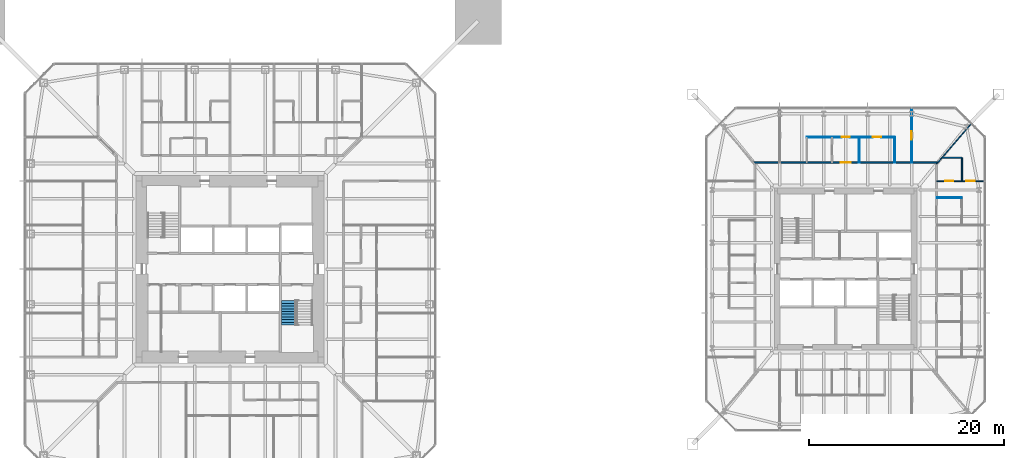
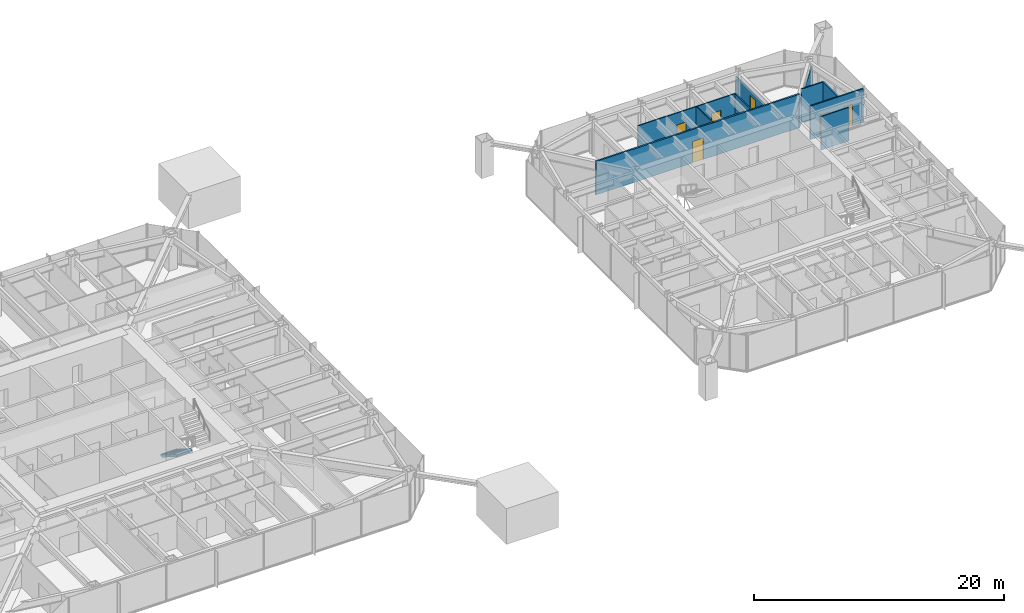
# One storey, part 19 of 25: 10 walls, 6 doors, 1 stair flight, 6 openings, 1 element without a shape of its own.
"""IFC4 building model written with IfcOpenShell, lengths in metres."""

from ifc_helpers import new_model, si_unit, direction, frame, frame_2d, origin, place, context, subcontext, project, spatial, polyline, rectangle, outline, extrude, material, layer, layer_set, constituent, constituent_set, type_object, element, fill, aggregate, save


model = new_model("IFC4")

# Units and contexts
model_context = context("Model", 3, precision=1e-05, world=origin(), true_north=direction((0.0, 1.0)))
body_context = subcontext(model_context, "Body", "Model", "MODEL_VIEW")
ifc_project = project(units=[si_unit("LENGTHUNIT", "METRE"), si_unit("AREAUNIT", "SQUARE_METRE"), si_unit("VOLUMEUNIT", "CUBIC_METRE"), si_unit("PLANEANGLEUNIT", "RADIAN"), si_unit("MASSUNIT", "GRAM", prefix="KILO")], contexts=[model_context])

# Site, building, storey
site_placement = place(None, origin())
site = spatial("IfcSite", under=ifc_project, at=site_placement, CompositionType="ELEMENT")
building_placement = place(site_placement, origin())
building = spatial("IfcBuilding", under=site, at=building_placement, Name="Iwan Alto Co-Living Towers", CompositionType="ELEMENT")
storey_placement = place(building_placement, frame((0.0, 0.0, 105.0)))
storey = spatial("IfcBuildingStorey", under=building, at=storey_placement, Name="L28", CompositionType="ELEMENT", Elevation=105.0)

# Wall, opening, door
ifc_material_1 = material(Name="Gypsum board")
ifc_layer_1 = layer(ifc_material_1, 0.02490234375, Name="Board", Category="Finish")
ifc_material_2 = material(Name="Steel ASTM A1003 ST33H cold-formed studs", Category="steel")
ifc_layer_2 = layer(ifc_material_2, 0.10009765625, Name="Studs", Category="Framing")
ifc_layer_3 = layer(ifc_material_1, 0.02490234375, Name="Board", Category="Finish")
ifc_layer_set_1 = layer_set([ifc_layer_1, ifc_layer_2, ifc_layer_3], Name="CORRIDOR WALL 150")
wall_type_1 = type_object("IfcWallType", Name="CORRIDOR WALL 150", PredefinedType="PARTITIONING", material=ifc_layer_set_1)
wall_1_placement = place(storey_placement, frame((53.5859375, 10.89990234375, 0.0), z_axis=(0.0, 0.0, 1.0), x_axis=(1.0, 0.0, 0.0)))
wall_1 = element("IfcWall", 1, at=wall_1_placement, inside=storey, type_object=wall_type_1, Name="Partition L28", PredefinedType="PARTITIONING", context=body_context, shape_type="SweptSolid", body=[
    extrude(rectangle(XDim=18.828125, YDim=0.14990234375, at=frame_2d((9.4140625, 0.0))), origin(), (0.0, 0.0, 1.0), 3.27001953125),
])
opening_1_placement = place(wall_1_placement, frame((8.9140625, 0.0, 0.0)))
opening_1 = element("IfcOpeningElement", 2, at=opening_1_placement, cuts=wall_1, Name="Opening D3", PredefinedType="OPENING", context=body_context, shape_type="SweptSolid", body=[
    extrude(rectangle(XDim=1.0, YDim=2.10009765625, at=frame_2d((0.5, 1.050048828125))), frame((0.0, 0.0849609375, 0.0), z_axis=(0.0, -1.0, 0.0), x_axis=(1.0, 0.0, 0.0)), (0.0, 0.0, 1.0), 0.169921875),
])
ifc_material_3 = material(Name="Steel frame with timber leaf", Category="steel")
door_type_1 = type_object("IfcDoorType", Name="FLAT ENTRANCE DOOR FD30S 1000X2100", OperationType="SINGLE_SWING_LEFT", PredefinedType="DOOR", material=ifc_material_3)
door_1_placement = place(opening_1_placement, origin())
door_1 = element("IfcDoor", 3, at=door_1_placement, inside=storey, type_object=door_type_1, Name="Apartment foyer door L28", OperationType="SINGLE_SWING_LEFT", OverallHeight=2.10009765625, OverallWidth=1.0, PredefinedType="DOOR", context=body_context, shape_type="SweptSolid", body=[
    extrude(rectangle(XDim=1.0, YDim=2.10009765625, at=frame_2d((0.5, 1.050048828125))), frame((0.0, 0.02490234375, 0.0), z_axis=(0.0, -1.0, 0.0), x_axis=(1.0, 0.0, 0.0)), (0.0, 0.0, 1.0), 0.050048828125),
])
fill(opening_1, door_1)

# Wall
ifc_layer_4 = layer(ifc_material_1, 0.012451171875, Name="Board", Category="Finish")
ifc_layer_5 = layer(ifc_material_2, 0.074951171875, Name="Studs", Category="Framing")
ifc_layer_6 = layer(ifc_material_1, 0.012451171875, Name="Board", Category="Finish")
ifc_layer_set_2 = layer_set([ifc_layer_4, ifc_layer_5, ifc_layer_6], Name="PARTITION 100")
wall_type_2 = type_object("IfcWallType", Name="PARTITION 100", PredefinedType="PARTITIONING", material=ifc_layer_set_2)
wall_2_placement = place(storey_placement, frame((72.300048828125, 7.300048828125, 0.0), z_axis=(0.0, 0.0, 1.0), x_axis=(1.0, 0.0, 0.0)))
element("IfcWall", 4, at=wall_2_placement, inside=storey, type_object=wall_type_2, Name="Partition L28", PredefinedType="PARTITIONING", context=body_context, shape_type="SweptSolid", body=[
    extrude(rectangle(XDim=2.599853515625, YDim=0.10009765625, at=frame_2d((1.2998046875, 0.0))), origin(), (0.0, 0.0, 1.0), 3.27001953125),
])

# Wall, openings, doors
wall_3_placement = place(storey_placement, frame((59.0, 13.5, 0.0), z_axis=(0.0, 0.0, 1.0), x_axis=(1.0, 0.0, 0.0)))
wall_3 = element("IfcWall", 5, at=wall_3_placement, inside=storey, type_object=wall_type_2, Name="Partition L28", PredefinedType="PARTITIONING", context=body_context, shape_type="SweptSolid", body=[
    extrude(rectangle(XDim=9.0, YDim=0.10009765625, at=frame_2d((4.5, 0.0))), origin(), (0.0, 0.0, 1.0), 3.27001953125),
])
opening_2_placement = place(wall_3_placement, frame((6.77490234375, 0.0, 0.0)))
opening_2 = element("IfcOpeningElement", 6, at=opening_2_placement, cuts=wall_3, Name="Opening D2", PredefinedType="OPENING", context=body_context, shape_type="SweptSolid", body=[
    extrude(rectangle(XDim=0.85009765625, YDim=2.10009765625, at=frame_2d((0.425048828125, 1.050048828125))), frame((0.0, 0.06005859375, 0.0), z_axis=(0.0, -1.0, 0.0), x_axis=(1.0, 0.0, 0.0)), (0.0, 0.0, 1.0), 0.1201171875),
])
opening_3_placement = place(wall_3_placement, frame((3.574951171875, 0.0, 0.0)))
opening_3 = element("IfcOpeningElement", 7, at=opening_3_placement, cuts=wall_3, Name="Opening D2", PredefinedType="OPENING", context=body_context, shape_type="SweptSolid", body=[
    extrude(rectangle(XDim=0.85009765625, YDim=2.10009765625, at=frame_2d((0.425048828125, 1.050048828125))), frame((0.0, 0.06005859375, 0.0), z_axis=(0.0, -1.0, 0.0), x_axis=(1.0, 0.0, 0.0)), (0.0, 0.0, 1.0), 0.1201171875),
])
ifc_material_4 = material(Name="Timber leaf in steel frame", Category="steel")
door_type_2 = type_object("IfcDoorType", Name="ROOM DOOR 850X2100", OperationType="SINGLE_SWING_LEFT", PredefinedType="DOOR", material=ifc_material_4)
door_2_placement = place(opening_2_placement, origin())
door_2 = element("IfcDoor", 8, at=door_2_placement, inside=storey, type_object=door_type_2, Name="Kitchen door L28", OperationType="SINGLE_SWING_RIGHT", OverallHeight=2.10009765625, OverallWidth=0.85009765625, PredefinedType="DOOR", context=body_context, shape_type="SweptSolid", body=[
    extrude(rectangle(XDim=0.85009765625, YDim=2.10009765625, at=frame_2d((0.425048828125, 1.050048828125))), frame((0.0, 0.02490234375, 0.0), z_axis=(0.0, -1.0, 0.0), x_axis=(1.0, 0.0, 0.0)), (0.0, 0.0, 1.0), 0.050048828125),
])
fill(opening_2, door_2)
door_3_placement = place(opening_3_placement, origin())
door_3 = element("IfcDoor", 9, at=door_3_placement, inside=storey, type_object=door_type_2, Name="Apartment foyer door L28", OperationType="SINGLE_SWING_LEFT", OverallHeight=2.10009765625, OverallWidth=0.85009765625, PredefinedType="DOOR", context=body_context, shape_type="SweptSolid", body=[
    extrude(rectangle(XDim=0.85009765625, YDim=2.10009765625, at=frame_2d((0.425048828125, 1.050048828125))), frame((0.0, 0.02490234375, 0.0), z_axis=(0.0, -1.0, 0.0), x_axis=(1.0, 0.0, 0.0)), (0.0, 0.0, 1.0), 0.050048828125),
])
fill(opening_3, door_3)

# Wall
wall_4_placement = place(storey_placement, frame((72.300048828125, 10.76806640625, 0.0), z_axis=(0.0, 0.0, 1.0), x_axis=(0.653709560919, 0.756745538449, 0.0)))
element("IfcWall", 10, at=wall_4_placement, inside=storey, type_object=wall_type_2, Name="Partition L28", PredefinedType="PARTITIONING", context=body_context, shape_type="SweptSolid", body=[
    extrude(rectangle(XDim=5.3857421875, YDim=0.10009765625, at=frame_2d((2.69287109375, 0.0))), origin(), (0.0, 0.0, 1.0), 2.42919921875),
])

# Wall, opening, door
wall_5_placement = place(storey_placement, frame((69.75, 10.89990234375, 0.0), z_axis=(0.0, 0.0, 1.0), x_axis=(0.0, 1.0, 0.0)))
wall_5 = element("IfcWall", 11, at=wall_5_placement, inside=storey, type_object=wall_type_2, Name="Partition L28", PredefinedType="PARTITIONING", context=body_context, shape_type="SweptSolid", body=[
    extrude(rectangle(XDim=5.5400390625, YDim=0.10009765625, at=frame_2d((2.77001953125, 0.0))), origin(), (0.0, 0.0, 1.0), 2.586669921875),
])
opening_4_placement = place(wall_5_placement, frame((2.344970703125, 0.0, 0.0)))
opening_4 = element("IfcOpeningElement", 12, at=opening_4_placement, cuts=wall_5, Name="Opening D2", PredefinedType="OPENING", context=body_context, shape_type="SweptSolid", body=[
    extrude(rectangle(XDim=0.85009765625, YDim=2.10009765625, at=frame_2d((0.425048828125, 1.050048828125))), frame((0.0, 0.06005859375, 0.0), z_axis=(0.0, -1.0, 0.0), x_axis=(1.0, 0.0, 0.0)), (0.0, 0.0, 1.0), 0.1201171875),
])
door_4_placement = place(opening_4_placement, origin())
door_4 = element("IfcDoor", 13, at=door_4_placement, inside=storey, type_object=door_type_2, Name="Study door L28", OperationType="SINGLE_SWING_LEFT", OverallHeight=2.10009765625, OverallWidth=0.85009765625, PredefinedType="DOOR", context=body_context, shape_type="SweptSolid", body=[
    extrude(rectangle(XDim=0.85009765625, YDim=2.10009765625, at=frame_2d((0.425048828125, 1.050048828125))), frame((0.0, 0.02490234375, 0.0), z_axis=(0.0, -1.0, 0.0), x_axis=(1.0, 0.0, 0.0)), (0.0, 0.0, 1.0), 0.050048828125),
])
fill(opening_4, door_4)

# Walls
for number, where, z_axis, x_axis, name in (
    (14, (68.0, 10.89990234375, 0.0), (0.0, 0.0, 1.0), (0.0, 1.0, 0.0), "Partition L28"),
    (15, (64.39990234375, 10.89990234375, 0.0), (0.0, 0.0, 1.0), (0.0, 1.0, 0.0), "Partition L28"),
):
    element("IfcWall", number, at=place(storey_placement, frame(where, z_axis=z_axis, x_axis=x_axis)), inside=storey, type_object=wall_type_2, Name=name, PredefinedType="PARTITIONING", context=body_context, shape_type="SweptSolid", body=[
        extrude(rectangle(XDim=2.60009765625, YDim=0.10009765625, at=frame_2d((1.300048828125, 0.0))), origin(), (0.0, 0.0, 1.0), 3.27001953125),
    ])

# Wall, openings, doors
ifc_material_5 = material(Name="Cement board")
ifc_layer_7 = layer(ifc_material_5, 0.012451171875, Name="Board", Category="Finish")
ifc_layer_8 = layer(ifc_material_2, 0.094970703125, Name="Studs", Category="Framing")
ifc_layer_9 = layer(ifc_material_5, 0.012451171875, Name="Board", Category="Finish")
ifc_layer_set_3 = layer_set([ifc_layer_7, ifc_layer_8, ifc_layer_9], Name="WET AREA PARTITION 120")
wall_type_3 = type_object("IfcWallType", Name="WET AREA PARTITION 120", PredefinedType="PARTITIONING", material=ifc_layer_set_3)
wall_6_placement = place(storey_placement, frame((72.300048828125, 9.0, 0.0), z_axis=(0.0, 0.0, 1.0), x_axis=(1.0, 0.0, 0.0)))
wall_6 = element("IfcWall", 16, at=wall_6_placement, inside=storey, type_object=wall_type_3, Name="Partition L28", PredefinedType="PARTITIONING", context=body_context, shape_type="SweptSolid", body=[
    extrude(rectangle(XDim=4.889892578125, YDim=0.1201171875, at=frame_2d((2.44482421875, 0.0))), origin(), (0.0, 0.0, 1.0), 3.27001953125),
])
opening_5_placement = place(wall_6_placement, frame((0.875, 0.0, 0.0)))
opening_5 = element("IfcOpeningElement", 17, at=opening_5_placement, cuts=wall_6, Name="Opening D2", PredefinedType="OPENING", context=body_context, shape_type="SweptSolid", body=[
    extrude(rectangle(XDim=0.85009765625, YDim=2.10009765625, at=frame_2d((0.425048828125, 1.050048828125))), frame((0.0, 0.070068359375, 0.0), z_axis=(0.0, -1.0, 0.0), x_axis=(1.0, 0.0, 0.0)), (0.0, 0.0, 1.0), 0.14013671875),
])
opening_6_placement = place(wall_6_placement, frame((3.050048828125, 0.0, 0.0)))
opening_6 = element("IfcOpeningElement", 18, at=opening_6_placement, cuts=wall_6, Name="Opening D2", PredefinedType="OPENING", context=body_context, shape_type="SweptSolid", body=[
    extrude(rectangle(XDim=0.85009765625, YDim=2.10009765625, at=frame_2d((0.425048828125, 1.050048828125))), frame((0.0, 0.070068359375, 0.0), z_axis=(0.0, -1.0, 0.0), x_axis=(1.0, 0.0, 0.0)), (0.0, 0.0, 1.0), 0.14013671875),
])
door_5_placement = place(opening_5_placement, frame((0.85009765625, 0.0, 0.0), z_axis=(0.0, 0.0, 1.0), x_axis=(-1.0, 0.0, 0.0)))
door_5 = element("IfcDoor", 19, at=door_5_placement, inside=storey, type_object=door_type_2, Name="Bathroom door L28", OperationType="SINGLE_SWING_RIGHT", OverallHeight=2.10009765625, OverallWidth=0.85009765625, PredefinedType="DOOR", context=body_context, shape_type="SweptSolid", body=[
    extrude(rectangle(XDim=0.85009765625, YDim=2.10009765625, at=frame_2d((0.425048828125, 1.050048828125))), frame((0.0, 0.02490234375, 0.0), z_axis=(0.0, -1.0, 0.0), x_axis=(1.0, 0.0, 0.0)), (0.0, 0.0, 1.0), 0.050048828125),
])
fill(opening_5, door_5)
door_6_placement = place(opening_6_placement, origin())
door_6 = element("IfcDoor", 20, at=door_6_placement, inside=storey, type_object=door_type_2, Name="Bedroom door L28", OperationType="SINGLE_SWING_LEFT", OverallHeight=2.10009765625, OverallWidth=0.85009765625, PredefinedType="DOOR", context=body_context, shape_type="SweptSolid", body=[
    extrude(rectangle(XDim=0.85009765625, YDim=2.10009765625, at=frame_2d((0.425048828125, 1.050048828125))), frame((0.0, 0.02490234375, 0.0), z_axis=(0.0, -1.0, 0.0), x_axis=(1.0, 0.0, 0.0)), (0.0, 0.0, 1.0), 0.050048828125),
])
fill(opening_6, door_6)

# Walls
wall_7_placement = place(storey_placement, frame((72.844970703125, 11.39990234375, 0.0), z_axis=(0.0, 0.0, 1.0), x_axis=(1.0, 0.0, 0.0)))
element("IfcWall", 21, at=wall_7_placement, inside=storey, type_object=wall_type_3, Name="Partition L28", PredefinedType="PARTITIONING", context=body_context, shape_type="SweptSolid", body=[
    extrude(rectangle(XDim=2.054931640625, YDim=0.1201171875, at=frame_2d((1.02734375, 0.0))), origin(), (0.0, 0.0, 1.0), 3.27001953125),
])
wall_8_placement = place(storey_placement, frame((74.89990234375, 9.0, 0.0), z_axis=(0.0, 0.0, 1.0), x_axis=(0.0, 1.0, 0.0)))
element("IfcWall", 22, at=wall_8_placement, inside=storey, type_object=wall_type_3, Name="Partition L28", PredefinedType="PARTITIONING", context=body_context, shape_type="SweptSolid", body=[
    extrude(rectangle(XDim=2.39990234375, YDim=0.1201171875, at=frame_2d((1.199951171875, 0.0))), origin(), (0.0, 0.0, 1.0), 3.27001953125),
])

# Stair, stair flight
ifc_material_6 = material(Name="Steel ASTM A36", Category="steel")
ifc_constituent_1 = constituent(ifc_material_6, Name="Stringers", Category="LoadBearing")
ifc_material_7 = material(Name="Concrete f'c 30 MPa", Category="concrete")
ifc_constituent_2 = constituent(ifc_material_7, Name="Tread fill", Category="Finish")
ifc_constituent_set_1 = constituent_set(constituents=[ifc_constituent_1, ifc_constituent_2], Name="STAIR 3500 TWO-FLIGHT T1 CORE")
stair_type = type_object("IfcStairType", Name="STAIR 3500 TWO-FLIGHT T1 CORE", PredefinedType="HALF_TURN_STAIR", material=ifc_constituent_set_1)
stair_placement = place(storey_placement, origin())
stair = element("IfcStair", 23, at=stair_placement, inside=storey, type_object=stair_type, Name="Stair T1-S2 L28 to L29", PredefinedType="HALF_TURN_STAIR")
ifc_constituent_3 = constituent(ifc_material_6, Name="Stringers", Category="LoadBearing")
ifc_constituent_4 = constituent(ifc_material_7, Name="Tread fill", Category="Finish")
ifc_constituent_set_2 = constituent_set(constituents=[ifc_constituent_3, ifc_constituent_4], Name="STAIR FLIGHT 10 RISERS 280 GOING")
stair_flight_type = type_object("IfcStairFlightType", Name="STAIR FLIGHT 10 RISERS 280 GOING", PredefinedType="STRAIGHT", material=ifc_constituent_set_2)
stair_flight_placement = place(storey_placement, frame((6.010009765625, -3.219970703125, 0.0), z_axis=(0.0, 0.0, 1.0), x_axis=(0.0, -1.0, 0.0)))
stair_flight = element("IfcStairFlight", 24, at=stair_flight_placement, type_object=stair_flight_type, Name="T1-S2 flight 1", NumberOfRisers=10, NumberOfTreads=9, PredefinedType="STRAIGHT", RiserHeight=0.175, TreadLength=0.28, context=body_context, shape_type="SweptSolid", body=[
    extrude(outline(polyline([(0.0, 0.0), (0.0, 0.175048828125), (0.280029296875, 0.175048828125), (0.280029296875, 0.35009765625), (0.56005859375, 0.35009765625), (0.56005859375, 0.52490234375), (0.840087890625, 0.52490234375), (0.840087890625, 0.699951171875), (1.1201171875, 0.699951171875), (1.1201171875, 0.875), (1.39990234375, 0.875), (1.39990234375, 1.050048828125), (1.679931640625, 1.050048828125), (1.679931640625, 1.22509765625), (1.9599609375, 1.22509765625), (1.9599609375, 1.39990234375), (2.239990234375, 1.39990234375), (2.239990234375, 1.574951171875), (2.52001953125, 1.574951171875), (2.52001953125, 1.75), (2.52001953125, 1.398193359375), (0.28271484375, 0.0), (0.0, 0.0)])), frame((0.0, 0.739990234375, 0.0), z_axis=(0.0, -1.0, 0.0), x_axis=(1.0, 0.0, 0.0)), (0.0, 0.0, 1.0), 1.47998046875),
])
aggregate(stair, [stair_flight])

save(model, "model.ifc")
